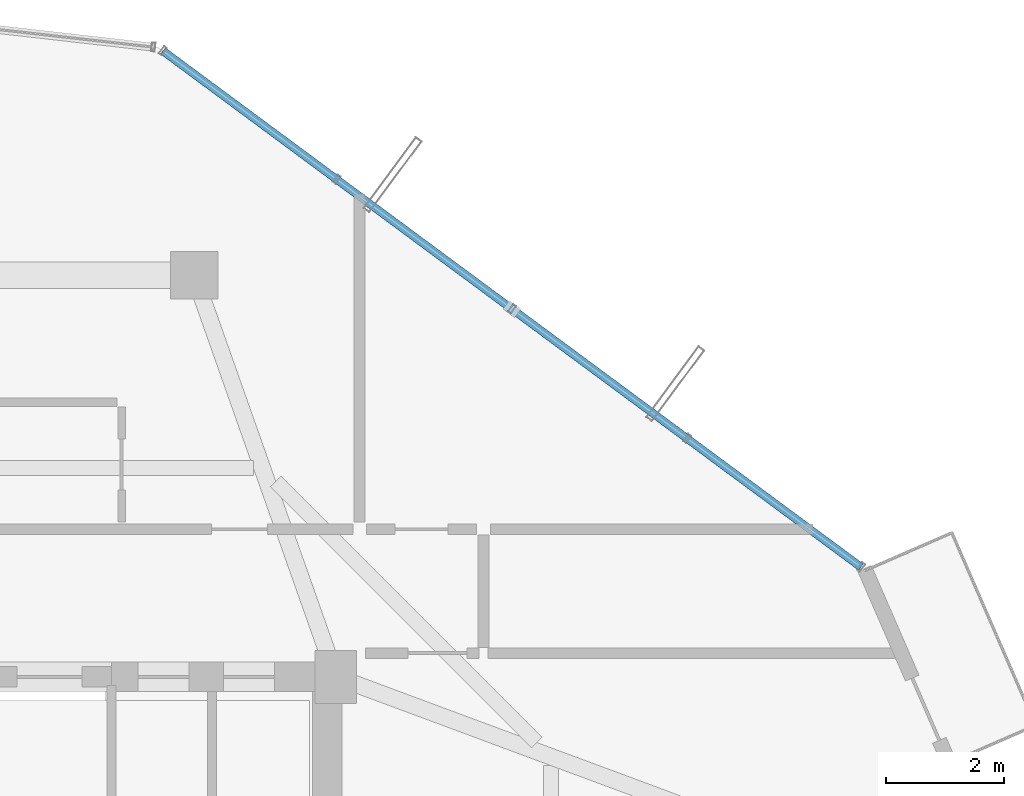
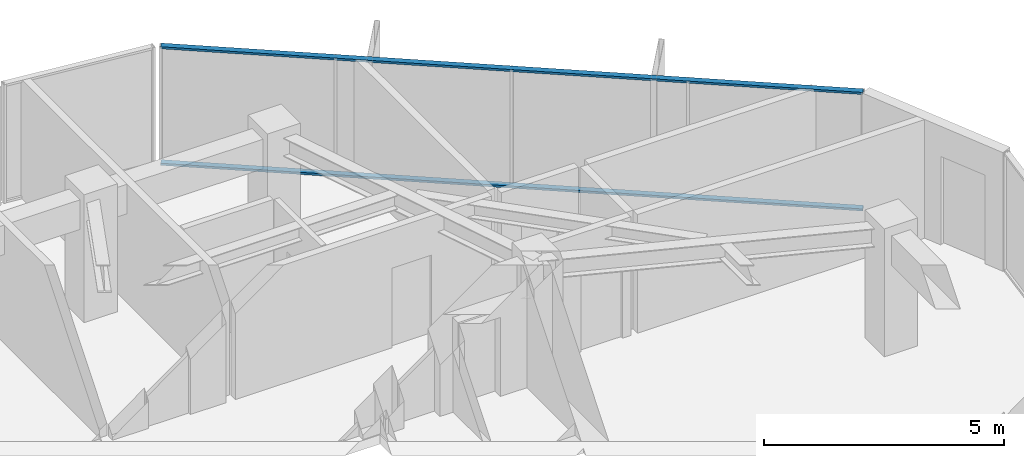
# One storey, part 17 of 30: 2 members, 1 element without a shape of its own.
"""IFC4 building model written with IfcOpenShell, lengths in metres."""

from ifc_helpers import new_model, si_unit, direction, frame, origin, origin_2d, place, context, subcontext, project, spatial, hollow_rectangle, extrude, source, transform, mapped, material, layer, layer_set, material_profile, profile_set, type_object, element, aggregate, save


model = new_model("IFC4")

# Units and contexts
model_context = context("Model", 3, precision=1e-05, world=origin(), true_north=direction((0.0, 1.0)))
body_context = subcontext(model_context, "Body", "Model", "MODEL_VIEW")
ifc_project = project(units=[si_unit("LENGTHUNIT", "METRE"), si_unit("AREAUNIT", "SQUARE_METRE"), si_unit("VOLUMEUNIT", "CUBIC_METRE"), si_unit("PLANEANGLEUNIT", "RADIAN"), si_unit("MASSUNIT", "GRAM", prefix="KILO")], contexts=[model_context])

# Site, building, storey
site_placement = place(None, origin())
site = spatial("IfcSite", under=ifc_project, at=site_placement, CompositionType="ELEMENT")
building_placement = place(site_placement, origin())
building = spatial("IfcBuilding", under=site, at=building_placement, Name="Veraguas Prism Commons", CompositionType="ELEMENT")
storey_placement = place(building_placement, frame((0.0, 0.0, 230.050048828125)))
storey = spatial("IfcBuildingStorey", under=building, at=storey_placement, Name="L65", CompositionType="ELEMENT", Elevation=230.050048828125)

# Curtain wall, members
ifc_material = material(Name="Anodised aluminium EN AW-6063 T6", Category="aluminium")
ifc_layer = layer(ifc_material, 0.14990234375, Name="Unitised Flush Curtain Wall Zone 4", Category="aluminium")
ifc_layer_set = layer_set([ifc_layer], Name="Anodised aluminium EN AW-6063 T6")
curtain_wall_type = type_object("IfcCurtainWallType", Name="Unitised Flush Curtain Wall Zone 4", PredefinedType="NOTDEFINED", material=ifc_layer_set)
curtain_wall_placement = place(storey_placement, origin())
curtain_wall = element("IfcCurtainWall", 1, at=curtain_wall_placement, inside=storey, type_object=curtain_wall_type, Name="Tower Facade Curtain Wall L65-F1", PredefinedType="NOTDEFINED")
ifc_material_profile = material_profile(ifc_material, hollow_rectangle(XDim=0.054931640625, YDim=0.135009765625, WallThickness=0.0029296875, at=origin_2d()), Name="AL55X135X3")
ifc_profile_set = profile_set([ifc_material_profile], Name="Anodised aluminium EN AW-6063 T6")
member_type = type_object("IfcMemberType", Name="Curtain Wall Transom Standard AL 55x135x3", PredefinedType="USERDEFINED", material=ifc_profile_set)
shared_shape = source(origin(), body_context, "Body", "SweptSolid", [
    extrude(hollow_rectangle(XDim=0.054931640625, YDim=0.135009765625, WallThickness=0.0029296875, at=origin_2d()), origin(), (0.0, 0.0, 1.0), 14.70654296875),
])
member_1_placement = place(storey_placement, frame((39.6953125, 32.858642578125, 0.02734375), z_axis=(-0.804063310042, 0.594543685059, 0.0), x_axis=(0.0, 0.0, 1.0)))
member_1 = element("IfcMember", 2, at=member_1_placement, type_object=member_type, Name="CW-Z4 Transom 1", ObjectType="TRANSOM", PredefinedType="USERDEFINED", context=body_context, shape_type="MappedRepresentation", body=[
    mapped(shared_shape, transform((0.0, 0.0, 0.0), scale=1.0)),
])
member_2_placement = place(storey_placement, frame((39.6953125, 32.858642578125, 2.987548828125), z_axis=(-0.804063310042, 0.594543685059, 0.0), x_axis=(0.0, 0.0, 1.0)))
member_2 = element("IfcMember", 3, at=member_2_placement, type_object=member_type, Name="CW-Z4 Transom 2", ObjectType="TRANSOM", PredefinedType="USERDEFINED", context=body_context, shape_type="MappedRepresentation", body=[
    mapped(shared_shape, transform((0.0, 0.0, 0.0), scale=1.0)),
])
aggregate(curtain_wall, [member_1, member_2])

save(model, "model.ifc")
